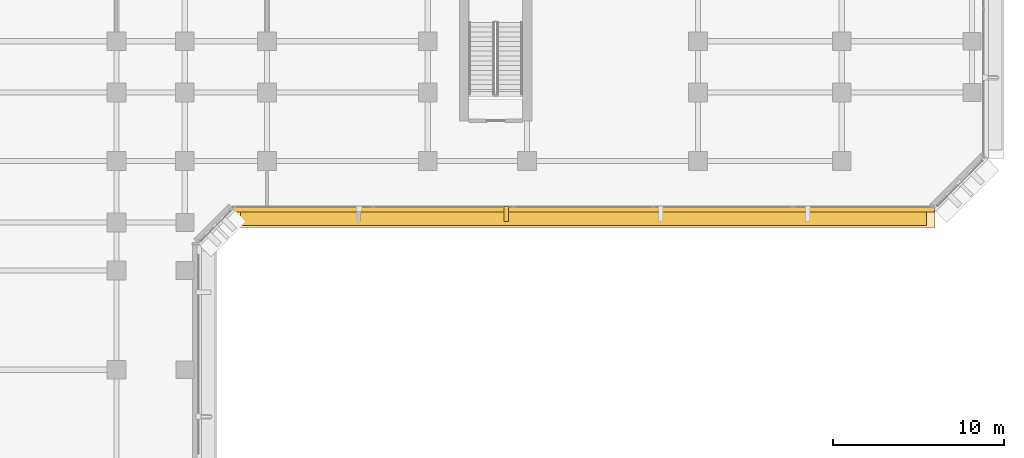
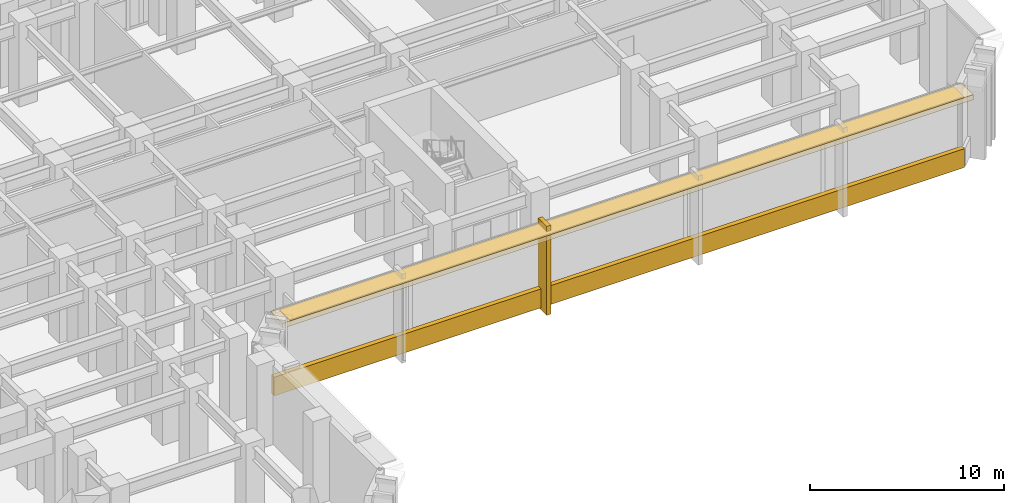
# One storey, part 15 of 20: 3 coverings, 1 shading device.
"""IFC4 building model written with IfcOpenShell, lengths in metres."""

from ifc_helpers import new_model, si_unit, direction, frame, origin, origin_2d, place, context, subcontext, project, spatial, rectangle, extrude, material, layer, layer_set, type_object, element, save


model = new_model("IFC4")

# Units and contexts
model_context = context("Model", 3, precision=1e-05, world=origin(), true_north=direction((0.0, 1.0)))
body_context = subcontext(model_context, "Body", "Model", "MODEL_VIEW")
ifc_project = project(units=[si_unit("LENGTHUNIT", "METRE"), si_unit("AREAUNIT", "SQUARE_METRE"), si_unit("VOLUMEUNIT", "CUBIC_METRE"), si_unit("PLANEANGLEUNIT", "RADIAN"), si_unit("MASSUNIT", "GRAM", prefix="KILO")], contexts=[model_context])

# Site, building, storey
site_placement = place(None, origin())
site = spatial("IfcSite", under=ifc_project, at=site_placement, CompositionType="ELEMENT")
building_placement = place(site_placement, origin())
building = spatial("IfcBuilding", under=site, at=building_placement, Name="Kefirva Bronze Tower", CompositionType="ELEMENT")
storey_placement = place(building_placement, frame((0.0, 0.0, 5.93994140625)))
storey = spatial("IfcBuildingStorey", under=building, at=storey_placement, Name="L01", CompositionType="ELEMENT", Elevation=5.93994140625)

# Covering
ifc_material = material(Name="Bronze anodised aluminium", Category="aluminium")
ifc_layer_1 = layer(ifc_material, 0.02001953125, Name="Bronze anodised aluminium")
ifc_layer_set_1 = layer_set([ifc_layer_1], Name="Bronze anodised aluminium")
covering_type_1 = type_object("IfcCoveringType", Name="Anodised Bronze Spandrel Cladding 20mm", PredefinedType="CLADDING", material=ifc_layer_set_1)
covering_1_placement = place(storey_placement, frame((58.5, 15.9599609375, -0.15966796875), z_axis=(0.0, 0.0, 1.0), x_axis=(1.0, 0.0, 0.0)))
element("IfcCovering", 1, at=covering_1_placement, inside=storey, type_object=covering_type_1, Name="L01 Streamline Horizontal Spandrel Band 4", PredefinedType="CLADDING", context=body_context, shape_type="SweptSolid", body=[
    extrude(rectangle(XDim=41.0400390625, YDim=0.280029296875, at=origin_2d()), origin(), (0.0, 0.0, 1.0), 1.179931640625),
])

# Shading device
ifc_layer_2 = layer(ifc_material, 0.1201171875, Name="Bronze anodised aluminium")
ifc_layer_set_2 = layer_set([ifc_layer_2], Name="Bronze anodised aluminium")
shading_device_type = type_object("IfcShadingDeviceType", Name="Podium Deep Bronze Canopy Sunshade 1050mm", PredefinedType="JALOUSIE", material=ifc_layer_set_2)
shading_device_placement = place(storey_placement, frame((58.5, 15.554931640625, 4.85498046875), z_axis=(0.0, 0.0, 1.0), x_axis=(1.0, 0.0, 0.0)))
element("IfcShadingDevice", 2, at=shading_device_placement, inside=storey, type_object=shading_device_type, Name="L01 Horizontal Bronze Sunshade Band 4", PredefinedType="JALOUSIE", context=body_context, shape_type="SweptSolid", body=[
    extrude(rectangle(XDim=40.090087890625, YDim=1.050048828125, at=origin_2d()), origin(), (0.0, 0.0, 1.0), 0.090087890625),
])

# Coverings
ifc_layer_3 = layer(ifc_material, 0.179931640625, Name="Bronze anodised aluminium")
ifc_layer_set_3 = layer_set([ifc_layer_3], Name="Bronze anodised aluminium")
covering_type_2 = type_object("IfcCoveringType", Name="Streamline Bronze Sunshade Eyebrow Cladding 180mm", PredefinedType="CLADDING", material=ifc_layer_set_3)
covering_2_placement = place(storey_placement, frame((58.5, 15.5400390625, 4.64013671875), z_axis=(0.0, 0.0, 1.0), x_axis=(1.0, 0.0, 0.0)))
element("IfcCovering", 3, at=covering_2_placement, inside=storey, type_object=covering_type_2, Name="L01 Streamline Bronze Sunshade Eyebrow 4", PredefinedType="CLADDING", context=body_context, shape_type="SweptSolid", body=[
    extrude(rectangle(XDim=41.080078125, YDim=1.239990234375, at=origin_2d()), origin(), (0.0, 0.0, 1.0), 0.320068359375),
])
ifc_layer_4 = layer(ifc_material, 0.260009765625, Name="Bronze anodised aluminium")
ifc_layer_set_4 = layer_set([ifc_layer_4], Name="Bronze anodised aluminium")
covering_type_3 = type_object("IfcCoveringType", Name="Unbroken Bronze Buttress Fin Cladding 260mm", PredefinedType="CLADDING", material=ifc_layer_set_4)
covering_3_placement = place(storey_placement, frame((53.989990234375, 15.699951171875, -0.320068359375), z_axis=(0.0, 0.0, 1.0), x_axis=(1.0, 0.0, 0.0)))
element("IfcCovering", 4, at=covering_3_placement, inside=storey, type_object=covering_type_3, Name="L01 Unbroken Vertical Bronze Rib Fin 12", PredefinedType="CLADDING", context=body_context, shape_type="SweptSolid", body=[
    extrude(rectangle(XDim=0.260009765625, YDim=0.8798828125, at=origin_2d()), origin(), (0.0, 0.0, 1.0), 5.60009765625),
])

save(model, "model.ifc")
